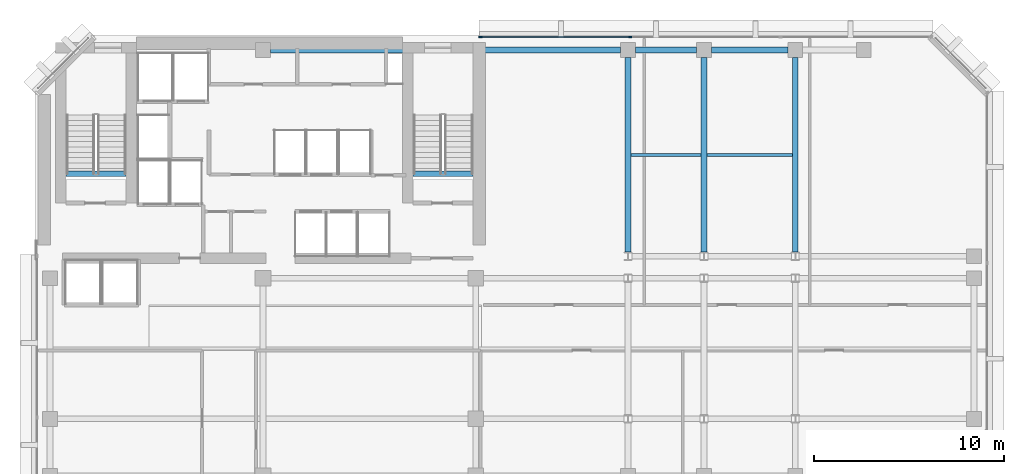
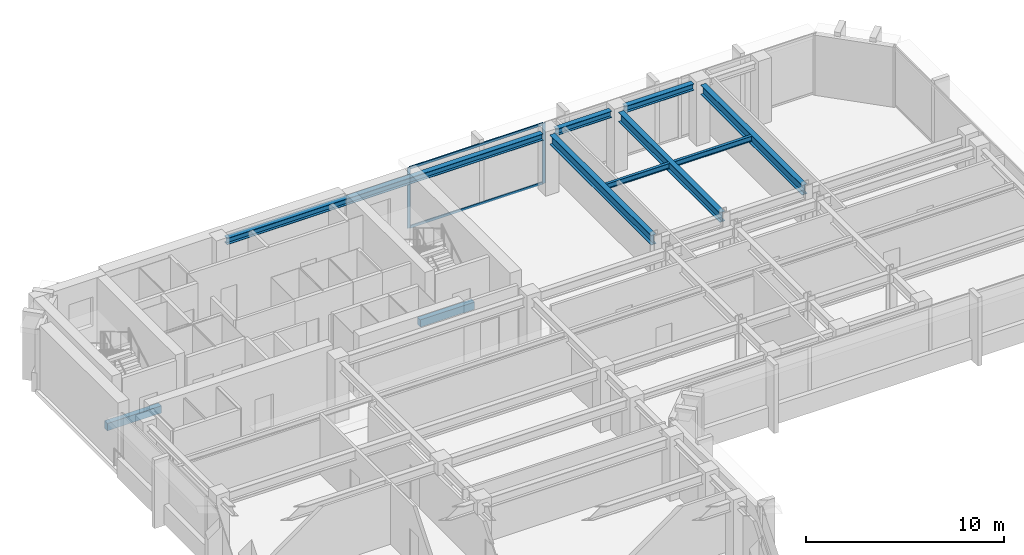
# One storey, part 4 of 12: 10 beams, 4 members, 1 element without a shape of its own.
"""IFC4 building model written with IfcOpenShell, lengths in metres."""

from ifc_helpers import new_model, si_unit, direction, frame, origin, origin_2d, place, context, subcontext, project, spatial, rectangle, i_section, extrude, material, layer, layer_set, material_profile, profile_set, type_object, element, aggregate, save


model = new_model("IFC4")

# Units and contexts
model_context = context("Model", 3, precision=1e-05, world=origin(), true_north=direction((0.0, 1.0)))
body_context = subcontext(model_context, "Body", "Model", "MODEL_VIEW")
ifc_project = project(units=[si_unit("LENGTHUNIT", "METRE"), si_unit("AREAUNIT", "SQUARE_METRE"), si_unit("VOLUMEUNIT", "CUBIC_METRE"), si_unit("PLANEANGLEUNIT", "RADIAN"), si_unit("MASSUNIT", "GRAM", prefix="KILO")], contexts=[model_context])

# Site, building, storey
site_placement = place(None, origin())
site = spatial("IfcSite", under=ifc_project, at=site_placement, CompositionType="ELEMENT")
building_placement = place(site_placement, origin())
building = spatial("IfcBuilding", under=site, at=building_placement, Name="Kefirva Bronze Tower", CompositionType="ELEMENT")
storey_placement = place(building_placement, frame((0.0, 0.0, 207.239990234375)))
storey = spatial("IfcBuildingStorey", under=building, at=storey_placement, Name="L50", CompositionType="ELEMENT", Elevation=207.239990234375)

# Curtain wall, members
ifc_material_1 = material(Name="Bronze anodised aluminium", Category="aluminium")
ifc_layer = layer(ifc_material_1, 0.179931640625, Name="Bronze anodised aluminium")
ifc_layer_set = layer_set([ifc_layer], Name="Bronze anodised aluminium")
curtain_wall_type = type_object("IfcCurtainWallType", Name="Unitised Bronze Ribbon Curtain Wall Zone 3", PredefinedType="USERDEFINED", material=ifc_layer_set)
curtain_wall_placement = place(storey_placement, origin())
curtain_wall = element("IfcCurtainWall", 1, at=curtain_wall_placement, inside=storey, type_object=curtain_wall_type, Name="L50 Curtain Wall 4", ObjectType="UNITISED CURTAIN WALL", PredefinedType="USERDEFINED")
ifc_material_profile_1 = material_profile(ifc_material_1, rectangle(XDim=0.074951171875, YDim=0.179931640625, at=origin_2d()), Name="ALU 75x180")
ifc_profile_set_1 = profile_set([ifc_material_profile_1], Name="Bronze anodised aluminium")
member_type_1 = type_object("IfcMemberType", Name="Bronze Mullion 75x180", PredefinedType="MULLION", material=ifc_profile_set_1)
member_1_placement = place(storey_placement, frame((31.318359375, 45.8798828125, 0.0), z_axis=(0.0, 0.0, 1.0), x_axis=(0.0, -1.0, 0.0)))
member_1 = element("IfcMember", 2, at=member_1_placement, type_object=member_type_1, Name="CW-03 mullion 3", PredefinedType="MULLION", context=body_context, shape_type="SweptSolid", body=[
    extrude(rectangle(XDim=0.074951171875, YDim=0.179931640625, at=origin_2d()), origin(), (0.0, 0.0, 1.0), 3.7099609375),
])
member_2_placement = place(storey_placement, frame((23.4423828125, 45.8798828125, 0.0), z_axis=(0.0, 0.0, 1.0), x_axis=(0.0, -1.0, 0.0)))
member_2 = element("IfcMember", 3, at=member_2_placement, type_object=member_type_1, Name="CW-03 mullion 4", PredefinedType="MULLION", context=body_context, shape_type="SweptSolid", body=[
    extrude(rectangle(XDim=0.074951171875, YDim=0.179931640625, at=origin_2d()), origin(), (0.0, 0.0, 1.0), 3.7099609375),
])
ifc_material_profile_2 = material_profile(ifc_material_1, rectangle(XDim=0.074951171875, YDim=0.14990234375, at=origin_2d()), Name="ALU 75x150")
ifc_profile_set_2 = profile_set([ifc_material_profile_2], Name="Bronze anodised aluminium")
member_type_2 = type_object("IfcMemberType", Name="Bronze Transom 75x150", PredefinedType="USERDEFINED", material=ifc_profile_set_2)
member_3_placement = place(storey_placement, frame((31.28076171875, 45.8798828125, 0.03759765625), z_axis=(-1.0, 0.0, 0.0), x_axis=(0.0, -1.0, 0.0)))
member_3 = element("IfcMember", 4, at=member_3_placement, type_object=member_type_2, Name="CW-03 transom 3.1", ObjectType="TRANSOM", PredefinedType="USERDEFINED", context=body_context, shape_type="SweptSolid", body=[
    extrude(rectangle(XDim=0.074951171875, YDim=0.14990234375, at=origin_2d()), origin(), (0.0, 0.0, 1.0), 7.80078125),
])
member_4_placement = place(storey_placement, frame((31.28076171875, 45.8798828125, 3.672607421875), z_axis=(-1.0, 0.0, 0.0), x_axis=(0.0, -1.0, 0.0)))
member_4 = element("IfcMember", 5, at=member_4_placement, type_object=member_type_2, Name="CW-03 transom 3.2", ObjectType="TRANSOM", PredefinedType="USERDEFINED", context=body_context, shape_type="SweptSolid", body=[
    extrude(rectangle(XDim=0.074951171875, YDim=0.14990234375, at=origin_2d()), origin(), (0.0, 0.0, 1.0), 7.80078125),
])
aggregate(curtain_wall, [member_1, member_2, member_3, member_4])

# Beams
ifc_material_2 = material(Name="Concrete C50/60", Category="concrete")
ifc_material_profile_3 = material_profile(ifc_material_2, rectangle(XDim=0.300048828125, YDim=0.449951171875, at=origin_2d()), Name="RC 300x450")
ifc_profile_set_3 = profile_set([ifc_material_profile_3], Name="Concrete C50/60")
beam_type_1 = type_object("IfcBeamType", Name="RC Stair Trimmer Beam 300x450", PredefinedType="BEAM", material=ifc_profile_set_3)
beam_1_placement = place(storey_placement, frame((1.64501953125, 38.699951171875, -0.22509765625), z_axis=(1.0, 0.0, 0.0), x_axis=(0.0, 1.0, 0.0)))
element("IfcBeam", 6, at=beam_1_placement, inside=storey, type_object=beam_type_1, Name="L50 Stair 1 Landing Trimmer Beam", PredefinedType="BEAM", context=body_context, shape_type="SweptSolid", body=[
    extrude(rectangle(XDim=0.300048828125, YDim=0.449951171875, at=origin_2d()), origin(), (0.0, 0.0, 1.0), 3.14990234375),
])
beam_2_placement = place(storey_placement, frame((19.89501953125, 38.699951171875, -0.22509765625), z_axis=(1.0, 0.0, 0.0), x_axis=(0.0, 1.0, 0.0)))
element("IfcBeam", 7, at=beam_2_placement, inside=storey, type_object=beam_type_1, Name="L50 Stair 2 Landing Trimmer Beam", PredefinedType="BEAM", context=body_context, shape_type="SweptSolid", body=[
    extrude(rectangle(XDim=0.300048828125, YDim=0.449951171875, at=origin_2d()), origin(), (0.0, 0.0, 1.0), 3.159912109375),
])
ifc_material_3 = material(Name="Steel S355", Category="steel")
ifc_material_profile_4 = material_profile(ifc_material_3, i_section(OverallWidth=0.159912109375, OverallDepth=0.330078125, WebThickness=0.007568359375, FlangeThickness=0.011474609375, at=origin_2d()), Name="IPE 330")
ifc_profile_set_4 = profile_set([ifc_material_profile_4], Name="Steel S355")
beam_type_2 = type_object("IfcBeamType", Name="Steel Floor Joist IPE 330", PredefinedType="JOIST", material=ifc_profile_set_4)
beam_3_placement = place(storey_placement, frame((31.35009765625, 39.688720703125, 3.544921875), z_axis=(1.0, 0.0, 0.0), x_axis=(0.0, 1.0, 0.0)))
element("IfcBeam", 8, at=beam_3_placement, inside=storey, type_object=beam_type_2, Name="L50 JST-L50-31-396", PredefinedType="JOIST", context=body_context, shape_type="SweptSolid", body=[
    extrude(i_section(OverallWidth=0.159912109375, OverallDepth=0.330078125, WebThickness=0.007568359375, FlangeThickness=0.011474609375, at=origin_2d()), origin(), (0.0, 0.0, 1.0), 3.699951171875),
])
beam_4_placement = place(storey_placement, frame((35.35009765625, 39.688720703125, 3.544921875), z_axis=(1.0, 0.0, 0.0), x_axis=(0.0, 1.0, 0.0)))
element("IfcBeam", 9, at=beam_4_placement, inside=storey, type_object=beam_type_2, Name="L50 JST-L50-35-396", PredefinedType="JOIST", context=body_context, shape_type="SweptSolid", body=[
    extrude(i_section(OverallWidth=0.159912109375, OverallDepth=0.330078125, WebThickness=0.007568359375, FlangeThickness=0.011474609375, at=origin_2d()), origin(), (0.0, 0.0, 1.0), 4.5),
])
ifc_material_profile_5 = material_profile(ifc_material_3, i_section(OverallWidth=0.300048828125, OverallDepth=0.60009765625, WebThickness=0.015380859375, FlangeThickness=0.030029296875, at=origin_2d()), Name="HEB 600")
ifc_profile_set_5 = profile_set([ifc_material_profile_5], Name="Steel S355")
beam_type_3 = type_object("IfcBeamType", Name="Steel Girder HEB 600", PredefinedType="USERDEFINED", material=ifc_profile_set_5)
for number, where, z_axis, x_axis, name in (
    (10, (31.199951171875, 34.5673828125, 3.409912109375), (0.0, 1.0, 0.0), (-1.0, 0.0, 0.0), "L50 BM-L50-NS-312-34"),
    (11, (35.199951171875, 34.5673828125, 3.409912109375), (0.0, 1.0, 0.0), (-1.0, 0.0, 0.0), "L50 BM-L50-NS-352-34"),
    (12, (40.0, 34.5673828125, 3.409912109375), (0.0, 1.0, 0.0), (-1.0, 0.0, 0.0), "L50 BM-L50-NS-400-34"),
):
    element("IfcBeam", number, at=place(storey_placement, frame(where, z_axis=z_axis, x_axis=x_axis)), inside=storey, type_object=beam_type_3, Name=name, ObjectType="GIRDER", PredefinedType="USERDEFINED", context=body_context, shape_type="SweptSolid", body=[
        extrude(i_section(OverallWidth=0.300048828125, OverallDepth=0.60009765625, WebThickness=0.015380859375, FlangeThickness=0.030029296875, at=origin_2d()), origin(), (0.0, 0.0, 1.0), 10.24267578125),
    ])
ifc_material_profile_6 = material_profile(ifc_material_3, i_section(OverallWidth=0.300048828125, OverallDepth=0.39990234375, WebThickness=0.013427734375, FlangeThickness=0.02392578125, at=origin_2d()), Name="HEB 400")
ifc_profile_set_6 = profile_set([ifc_material_profile_6], Name="Steel S355")
beam_type_4 = type_object("IfcBeamType", Name="Steel Spandrel HEB 400 Ext", PredefinedType="SPANDREL", material=ifc_profile_set_6)
beam_5_placement = place(storey_placement, frame((12.389892578125, 45.199951171875, 3.510009765625), z_axis=(1.0, 0.0, 0.0), x_axis=(0.0, 1.0, 0.0)))
element("IfcBeam", 13, at=beam_5_placement, inside=storey, type_object=beam_type_4, Name="L50 BM-L50-EW-12-452", PredefinedType="SPANDREL", context=body_context, shape_type="SweptSolid", body=[
    extrude(i_section(OverallWidth=0.300048828125, OverallDepth=0.39990234375, WebThickness=0.013427734375, FlangeThickness=0.02392578125, at=origin_2d()), origin(), (0.0, 0.0, 1.0), 18.420166015625),
])
beam_6_placement = place(storey_placement, frame((31.590087890625, 45.199951171875, 3.510009765625), z_axis=(1.0, 0.0, 0.0), x_axis=(0.0, 1.0, 0.0)))
element("IfcBeam", 14, at=beam_6_placement, inside=storey, type_object=beam_type_4, Name="L50 BM-L50-EW-31-452", PredefinedType="SPANDREL", context=body_context, shape_type="SweptSolid", body=[
    extrude(i_section(OverallWidth=0.300048828125, OverallDepth=0.39990234375, WebThickness=0.013427734375, FlangeThickness=0.02392578125, at=origin_2d()), origin(), (0.0, 0.0, 1.0), 3.219970703125),
])
beam_7_placement = place(storey_placement, frame((35.590087890625, 45.199951171875, 3.510009765625), z_axis=(1.0, 0.0, 0.0), x_axis=(0.0, 1.0, 0.0)))
element("IfcBeam", 15, at=beam_7_placement, inside=storey, type_object=beam_type_4, Name="L50 BM-L50-EW-35-452", PredefinedType="SPANDREL", context=body_context, shape_type="SweptSolid", body=[
    extrude(i_section(OverallWidth=0.300048828125, OverallDepth=0.39990234375, WebThickness=0.013427734375, FlangeThickness=0.02392578125, at=origin_2d()), origin(), (0.0, 0.0, 1.0), 4.02001953125),
])

save(model, "model.ifc")
